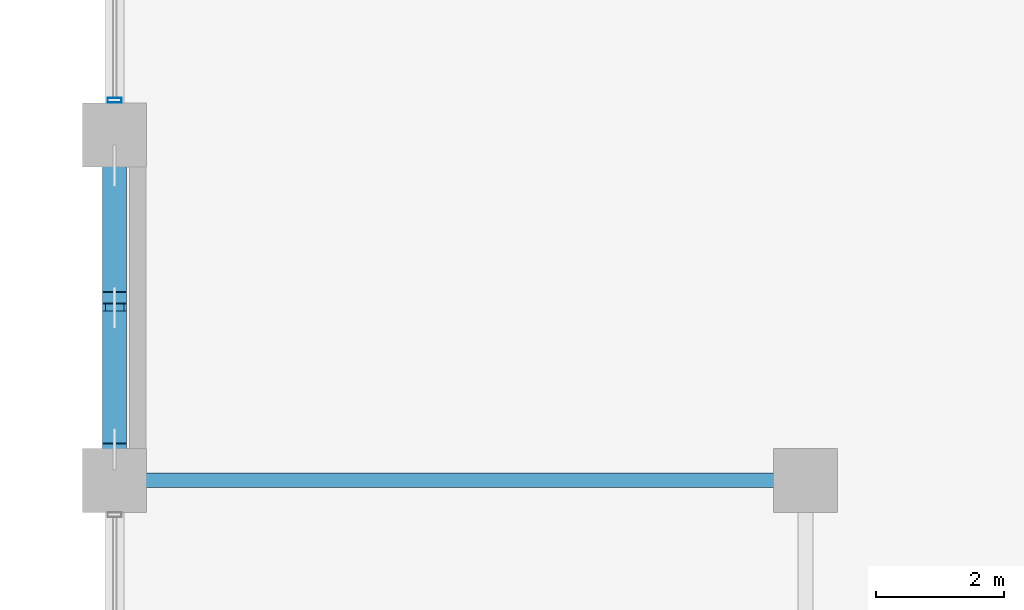
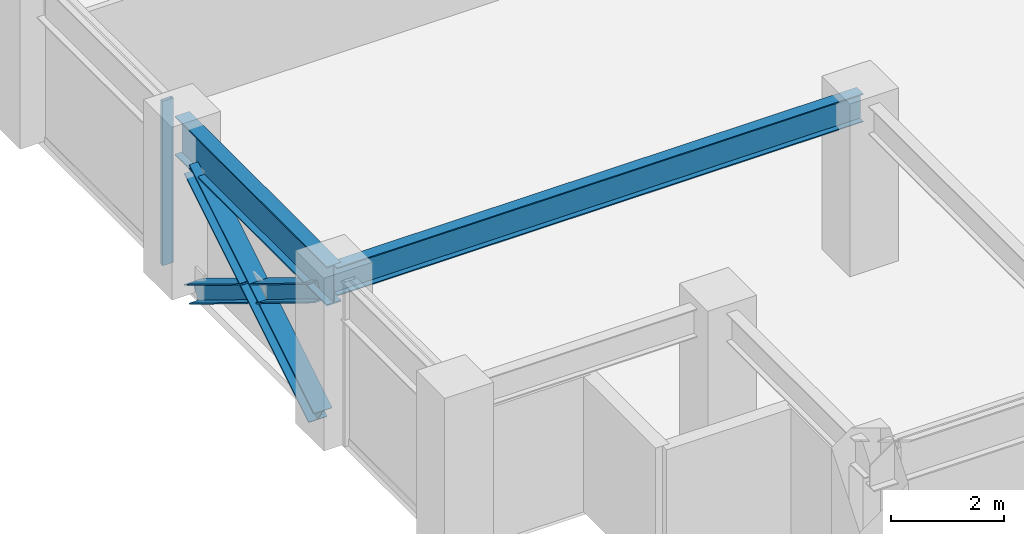
# One storey, part 3 of 26: 4 members, 2 beams, 1 element without a shape of its own.
"""IFC4 building model written with IfcOpenShell, lengths in metres."""

from ifc_helpers import new_model, si_unit, direction, frame, origin, origin_2d, place, context, subcontext, project, spatial, hollow_rectangle, i_section, extrude, material, layer, layer_set, material_profile, profile_set, type_object, element, aggregate, save


model = new_model("IFC4")

# Units and contexts
model_context = context("Model", 3, precision=1e-05, world=origin(), true_north=direction((0.0, 1.0)))
body_context = subcontext(model_context, "Body", "Model", "MODEL_VIEW")
ifc_project = project(units=[si_unit("LENGTHUNIT", "METRE"), si_unit("AREAUNIT", "SQUARE_METRE"), si_unit("VOLUMEUNIT", "CUBIC_METRE"), si_unit("PLANEANGLEUNIT", "RADIAN"), si_unit("MASSUNIT", "GRAM", prefix="KILO")], contexts=[model_context])

# Site, building, storey
site_placement = place(None, origin())
site = spatial("IfcSite", under=ifc_project, at=site_placement, CompositionType="ELEMENT")
building_placement = place(site_placement, origin())
building = spatial("IfcBuilding", under=site, at=building_placement, Name="Surkhivell Harbour Commons", CompositionType="ELEMENT")
storey_placement = place(building_placement, frame((0.0, 0.0, 143.25)))
storey = spatial("IfcBuildingStorey", under=building, at=storey_placement, Name="L37", CompositionType="ELEMENT", Elevation=143.25)

# Beams
ifc_material_1 = material(Name="Steel S355", Category="steel")
ifc_material_profile_1 = material_profile(ifc_material_1, i_section(OverallWidth=0.22998046875, OverallDepth=0.616943359375, WebThickness=0.01318359375, FlangeThickness=0.022216796875, at=origin_2d()), Name="UB610x229x140")
ifc_profile_set_1 = profile_set([ifc_material_profile_1], Name="Steel S355")
beam_type_1 = type_object("IfcBeamType", Name="BM-GRD-610B", PredefinedType="BEAM", material=ifc_profile_set_1)
beam_1_placement = place(storey_placement, frame((-32.39990234375, -16.199951171875, 3.261474609375), z_axis=(1.0, 0.0, 0.0), x_axis=(0.0, 1.0, 0.0)))
element("IfcBeam", 1, at=beam_1_placement, inside=storey, type_object=beam_type_1, Name="L37 Floor Girder (-32.4,-16.2)", PredefinedType="BEAM", context=body_context, shape_type="SweptSolid", body=[
    extrude(i_section(OverallWidth=0.22998046875, OverallDepth=0.616943359375, WebThickness=0.01318359375, FlangeThickness=0.022216796875, at=origin_2d()), origin(), (0.0, 0.0, 1.0), 10.7998046875),
])
ifc_material_2 = material(Name="Steel S460", Category="steel")
ifc_material_profile_2 = material_profile(ifc_material_2, i_section(OverallWidth=0.2939453125, OverallDepth=0.85107421875, WebThickness=0.01611328125, FlangeThickness=0.02685546875, at=origin_2d()), Name="UB838x292x226")
ifc_profile_set_2 = profile_set([ifc_material_profile_2], Name="Steel S460")
beam_type_2 = type_object("IfcBeamType", Name="BM-SPN-838", PredefinedType="SPANDREL", material=ifc_profile_set_2)
beam_2_placement = place(storey_placement, frame((-32.39990234375, -16.199951171875, 3.14453125), z_axis=(0.0, 1.0, 0.0), x_axis=(-1.0, 0.0, 0.0)))
element("IfcBeam", 2, at=beam_2_placement, inside=storey, type_object=beam_type_2, Name="L37 Tube Spandrel (-32.4,-16.2)", PredefinedType="SPANDREL", context=body_context, shape_type="SweptSolid", body=[
    extrude(i_section(OverallWidth=0.2939453125, OverallDepth=0.85107421875, WebThickness=0.01611328125, FlangeThickness=0.02685546875, at=origin_2d()), origin(), (0.0, 0.0, 1.0), 5.39990234375),
])

# Curtain wall, member
ifc_material_3 = material(Name="Anodised pale-metal aluminium and insulated glazing", Category="aluminium")
ifc_layer = layer(ifc_material_3, 0.205078125)
ifc_layer_set = layer_set([ifc_layer], Name="Anodised pale-metal aluminium and insulated glazing")
curtain_wall_type = type_object("IfcCurtainWallType", Name="CW-SYS-Z2", PredefinedType="NOTDEFINED", material=ifc_layer_set)
curtain_wall_placement = place(storey_placement, origin())
curtain_wall = element("IfcCurtainWall", 3, at=curtain_wall_placement, inside=storey, type_object=curtain_wall_type, Name="L37 Curtain Wall CW-L37-E12R1S2", PredefinedType="NOTDEFINED")
ifc_material_4 = material(Name="Anodised pale-metal aluminium alloy 6063-T6", Category="aluminium")
ifc_material_profile_3 = material_profile(ifc_material_4, hollow_rectangle(XDim=0.074951171875, YDim=0.219970703125, WallThickness=0.00390625, at=origin_2d()), Name="ALU-MULL-75x220")
ifc_profile_set_3 = profile_set([ifc_material_profile_3], Name="Anodised pale-metal aluminium alloy 6063-T6")
member_type_1 = type_object("IfcMemberType", Name="CWM-220", PredefinedType="MULLION", material=ifc_profile_set_3)
member_1_placement = place(storey_placement, frame((-32.39990234375, -10.260498046875, 0.0), z_axis=(0.0, 0.0, 1.0), x_axis=(0.0, 1.0, 0.0)))
member_1 = element("IfcMember", 4, at=member_1_placement, type_object=member_type_1, Name="CW-Z2 mullion 1", PredefinedType="MULLION", context=body_context, shape_type="SweptSolid", body=[
    extrude(hollow_rectangle(XDim=0.074951171875, YDim=0.219970703125, WallThickness=0.00390625, at=origin_2d()), origin(), (0.0, 0.0, 1.0), 3.570068359375),
])
aggregate(curtain_wall, [member_1])

# Members
ifc_material_profile_4 = material_profile(ifc_material_2, i_section(OverallWidth=0.375, OverallDepth=0.375, WebThickness=0.0166015625, FlangeThickness=0.027099609375, at=origin_2d()), Name="UC356x368x202")
ifc_profile_set_4 = profile_set([ifc_material_profile_4], Name="Steel S460")
member_type_2 = type_object("IfcMemberType", Name="MEM-BRC-UC356", PredefinedType="BRACE", material=ifc_profile_set_4)
member_2_placement = place(storey_placement, frame((-32.39990234375, -15.715087890625, 0.008056640625), z_axis=(0.0, 0.852637717293, 0.522502557936), x_axis=(-1.0, 0.0, 0.0)))
element("IfcMember", 5, at=member_2_placement, inside=storey, type_object=member_type_2, Name="L37 Perimeter Mega-Brace MB- 10", PredefinedType="BRACE", context=body_context, shape_type="SweptSolid", body=[
    extrude(i_section(OverallWidth=0.375, OverallDepth=0.375, WebThickness=0.0166015625, FlangeThickness=0.027099609375, at=origin_2d()), origin(), (0.0, 0.0, 1.0), 5.19580078125),
])
member_3_placement = place(storey_placement, frame((-32.39990234375, -11.284912109375, 0.008056640625), z_axis=(0.0, -0.852617215241, 0.52253601242), x_axis=(1.0, 0.0, 0.0)))
element("IfcMember", 6, at=member_3_placement, inside=storey, type_object=member_type_2, Name="L37 Perimeter Mega-Brace MB- 11", PredefinedType="BRACE", context=body_context, shape_type="SweptSolid", body=[
    extrude(i_section(OverallWidth=0.375, OverallDepth=0.375, WebThickness=0.0166015625, FlangeThickness=0.027099609375, at=origin_2d()), origin(), (0.0, 0.0, 1.0), 2.41796875),
])
member_4_placement = place(storey_placement, frame((-32.39990234375, -13.653564453125, 1.459716796875), z_axis=(0.0, -0.852662200332, 0.522462603567), x_axis=(1.0, 0.0, 0.0)))
element("IfcMember", 7, at=member_4_placement, inside=storey, type_object=member_type_2, Name="L37 Perimeter Mega-Brace MB- 12", PredefinedType="BRACE", context=body_context, shape_type="SweptSolid", body=[
    extrude(i_section(OverallWidth=0.375, OverallDepth=0.375, WebThickness=0.0166015625, FlangeThickness=0.027099609375, at=origin_2d()), origin(), (0.0, 0.0, 1.0), 2.417724609375),
])

save(model, "model.ifc")
